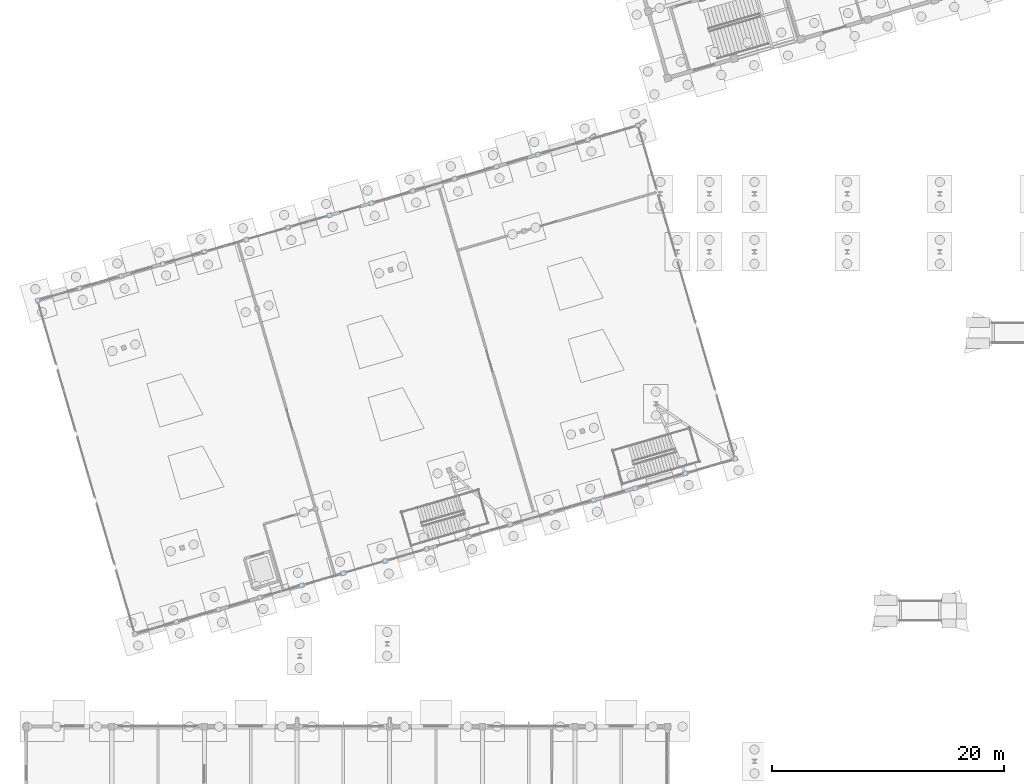
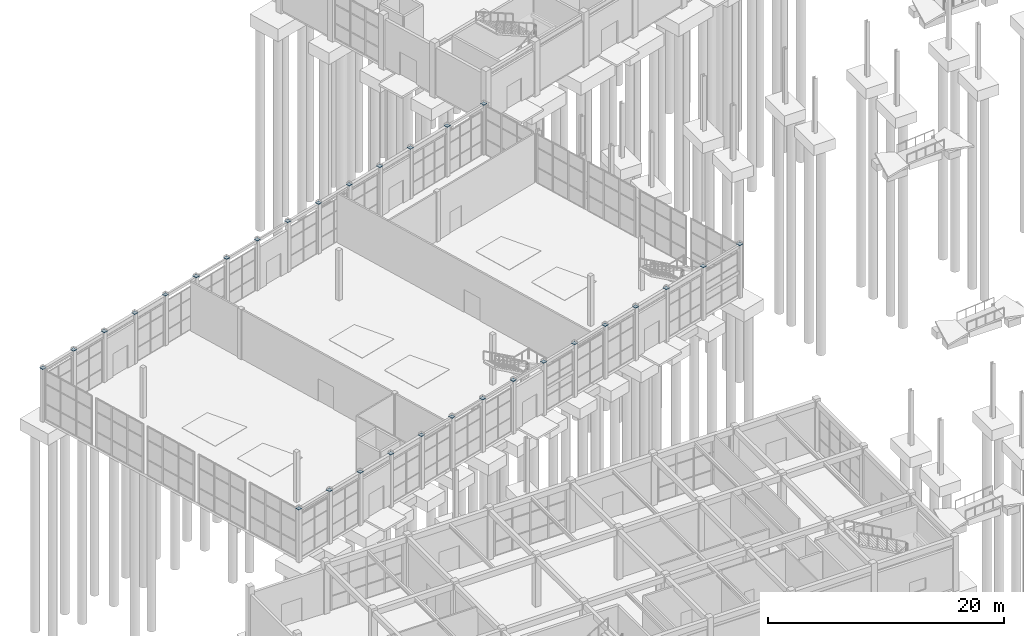
# One storey, part 69 of 90: 30 plates.
"""IFC4 building model written with IfcOpenShell, lengths in metres."""

from ifc_helpers import new_model, si_unit, direction, frame, origin, origin_2d, place, context, subcontext, project, spatial, rectangle, extrude, material, layer, layer_set, type_object, element, save


model = new_model("IFC4")

# Units and contexts
model_context = context("Model", 3, precision=1e-05, world=origin(), true_north=direction((0.0, 1.0)))
body_context = subcontext(model_context, "Body", "Model", "MODEL_VIEW")
ifc_project = project(units=[si_unit("LENGTHUNIT", "METRE"), si_unit("AREAUNIT", "SQUARE_METRE"), si_unit("VOLUMEUNIT", "CUBIC_METRE"), si_unit("PLANEANGLEUNIT", "RADIAN"), si_unit("MASSUNIT", "GRAM", prefix="KILO")], contexts=[model_context])

# Site, building, storey
site_placement = place(None, origin())
site = spatial("IfcSite", under=ifc_project, at=site_placement, CompositionType="ELEMENT")
building_placement = place(site_placement, origin())
building = spatial("IfcBuilding", under=site, at=building_placement, Name="Canggui Botanical Conservatory", CompositionType="ELEMENT")
storey_placement = place(building_placement, origin())
storey = spatial("IfcBuildingStorey", under=building, at=storey_placement, Name="L01", CompositionType="ELEMENT", Elevation=0.0)

# Plates
ifc_material = material(Name="Steel Q355C", Category="steel")
ifc_layer = layer(ifc_material, 0.01611328125, Name="Steel Q355C", Category="steel")
ifc_layer_set = layer_set([ifc_layer], Name="Steel Q355C")
plate_type = type_object("IfcPlateType", Name="PLT-CAP-16", PredefinedType="USERDEFINED", material=ifc_layer_set)
for number, where, z_axis, x_axis, name in (
    (1, (20.0, 42.0, 5.176025390625), (0.0, 0.0, 1.0), (0.960000000041, 0.279999999861, 0.0), "CP-CONSCOL-L01-0-00"),
    (2, (23.60009765625, 43.050048828125, 5.176025390625), (0.0, 0.0, 1.0), (0.960000000041, 0.279999999861, 0.0), "CP-CONSCOL-L01-0-01"),
    (3, (27.199951171875, 44.10009765625, 5.176025390625), (0.0, 0.0, 1.0), (0.960000000041, 0.279999999861, 0.0), "CP-CONSCOL-L01-0-02"),
    (4, (30.800048828125, 45.14990234375, 5.176025390625), (0.0, 0.0, 1.0), (0.960000000041, 0.279999999861, 0.0), "CP-CONSCOL-L01-0-03"),
    (5, (34.39990234375, 46.199951171875, 5.176025390625), (0.0, 0.0, 1.0), (0.960000000041, 0.279999999861, 0.0), "CP-CONSCOL-L01-0-04"),
    (6, (38.0, 47.25, 5.176025390625), (0.0, 0.0, 1.0), (0.960000000041, 0.279999999861, 0.0), "CP-CONSCOL-L01-0-05"),
    (7, (41.60009765625, 48.300048828125, 5.176025390625), (0.0, 0.0, 1.0), (0.960000000041, 0.279999999861, 0.0), "CP-CONSCOL-L01-0-06"),
    (8, (45.199951171875, 49.35009765625, 5.176025390625), (0.0, 0.0, 1.0), (0.960000000041, 0.279999999861, 0.0), "CP-CONSCOL-L01-0-07"),
    (9, (48.800048828125, 50.39990234375, 5.176025390625), (0.0, 0.0, 1.0), (0.960000000041, 0.279999999861, 0.0), "CP-CONSCOL-L01-0-08"),
    (10, (52.39990234375, 51.449951171875, 5.176025390625), (0.0, 0.0, 1.0), (0.960000000041, 0.279999999861, 0.0), "CP-CONSCOL-L01-0-09"),
    (11, (56.0, 52.5, 5.176025390625), (0.0, 0.0, 1.0), (0.960000000041, 0.279999999861, 0.0), "CP-CONSCOL-L01-0-10"),
    (12, (59.60009765625, 53.550048828125, 5.176025390625), (0.0, 0.0, 1.0), (0.960000000041, 0.279999999861, 0.0), "CP-CONSCOL-L01-0-11"),
    (13, (63.199951171875, 54.60009765625, 5.176025390625), (0.0, 0.0, 1.0), (0.960000000041, 0.279999999861, 0.0), "CP-CONSCOL-L01-0-12"),
    (14, (67.52001953125, 55.860107421875, 5.176025390625), (0.0, 0.0, 1.0), (0.960000000041, 0.279999999861, 0.0), "CP-CONSCOL-L01-0-13"),
    (15, (71.840087890625, 57.1201171875, 5.176025390625), (0.0, 0.0, 1.0), (0.960000000041, 0.279999999861, 0.0), "CP-CONSCOL-L01-0-14"),
    (16, (11.60009765625, 70.800048828125, 5.176025390625), (0.0, 0.0, 1.0), (0.960000000041, 0.279999999861, 0.0), "CP-CONSCOL-L01-1-00"),
    (17, (15.199951171875, 71.85009765625, 5.176025390625), (0.0, 0.0, 1.0), (0.960000000041, 0.279999999861, 0.0), "CP-CONSCOL-L01-1-01"),
    (18, (18.800048828125, 72.89990234375, 5.176025390625), (0.0, 0.0, 1.0), (0.960000000041, 0.279999999861, 0.0), "CP-CONSCOL-L01-1-02"),
    (19, (22.39990234375, 73.949951171875, 5.176025390625), (0.0, 0.0, 1.0), (0.960000000041, 0.279999999861, 0.0), "CP-CONSCOL-L01-1-03"),
    (20, (26.0, 75.0, 5.176025390625), (0.0, 0.0, 1.0), (0.960000000041, 0.279999999861, 0.0), "CP-CONSCOL-L01-1-04"),
    (21, (29.60009765625, 76.050048828125, 5.176025390625), (0.0, 0.0, 1.0), (0.960000000041, 0.279999999861, 0.0), "CP-CONSCOL-L01-1-05"),
    (22, (33.199951171875, 77.10009765625, 5.176025390625), (0.0, 0.0, 1.0), (0.960000000041, 0.279999999861, 0.0), "CP-CONSCOL-L01-1-06"),
    (23, (36.800048828125, 78.14990234375, 5.176025390625), (0.0, 0.0, 1.0), (0.960000000041, 0.279999999861, 0.0), "CP-CONSCOL-L01-1-07"),
    (24, (40.39990234375, 79.199951171875, 5.176025390625), (0.0, 0.0, 1.0), (0.960000000041, 0.279999999861, 0.0), "CP-CONSCOL-L01-1-08"),
    (25, (44.0, 80.25, 5.176025390625), (0.0, 0.0, 1.0), (0.960000000041, 0.279999999861, 0.0), "CP-CONSCOL-L01-1-09"),
    (26, (47.60009765625, 81.300048828125, 5.176025390625), (0.0, 0.0, 1.0), (0.960000000041, 0.279999999861, 0.0), "CP-CONSCOL-L01-1-10"),
    (27, (51.199951171875, 82.35009765625, 5.176025390625), (0.0, 0.0, 1.0), (0.960000000041, 0.279999999861, 0.0), "CP-CONSCOL-L01-1-11"),
    (28, (54.800048828125, 83.39990234375, 5.176025390625), (0.0, 0.0, 1.0), (0.960000000041, 0.279999999861, 0.0), "CP-CONSCOL-L01-1-12"),
    (29, (59.1201171875, 84.659912109375, 5.176025390625), (0.0, 0.0, 1.0), (0.960000000041, 0.279999999861, 0.0), "CP-CONSCOL-L01-1-13"),
    (30, (63.43994140625, 85.919921875, 5.176025390625), (0.0, 0.0, 1.0), (0.960000000041, 0.279999999861, 0.0), "CP-CONSCOL-L01-1-14"),
):
    element("IfcPlate", number, at=place(storey_placement, frame(where, z_axis=z_axis, x_axis=x_axis)), inside=storey, type_object=plate_type, Name=name, ObjectType="END CAP PLATE", PredefinedType="USERDEFINED", context=body_context, shape_type="SweptSolid", body=[
        extrude(rectangle(XDim=0.360107421875, YDim=0.360107421875, at=origin_2d()), origin(), (0.0, 0.0, 1.0), 0.02001953125),
    ])

save(model, "model.ifc")
